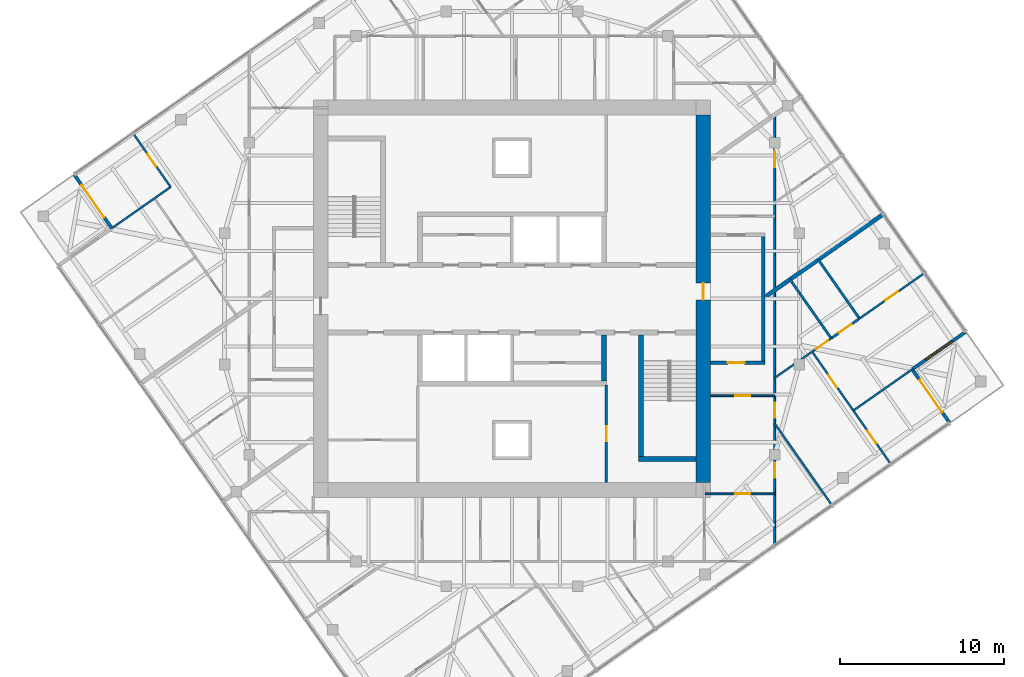
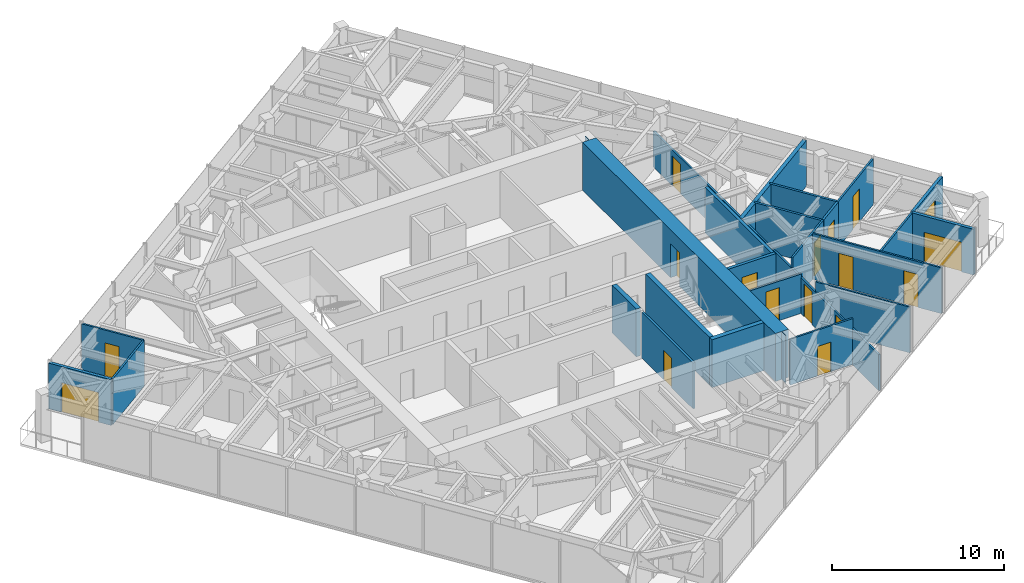
# One storey, part 9 of 12: 24 walls, 16 doors, 1 window, 17 openings.
"""IFC4 building model written with IfcOpenShell, lengths in metres."""

from ifc_helpers import new_model, si_unit, direction, frame, frame_2d, origin, place, context, subcontext, project, spatial, polyline, rectangle, outline, extrude, material, layer, layer_set, type_object, element, fill, save


model = new_model("IFC4")

# Units and contexts
model_context = context("Model", 3, precision=1e-05, world=origin(), true_north=direction((0.0, 1.0)))
body_context = subcontext(model_context, "Body", "Model", "MODEL_VIEW")
ifc_project = project(units=[si_unit("LENGTHUNIT", "METRE"), si_unit("AREAUNIT", "SQUARE_METRE"), si_unit("VOLUMEUNIT", "CUBIC_METRE"), si_unit("PLANEANGLEUNIT", "RADIAN"), si_unit("MASSUNIT", "GRAM", prefix="KILO")], contexts=[model_context])

# Site, building, storey
site_placement = place(None, origin())
site = spatial("IfcSite", under=ifc_project, at=site_placement, CompositionType="ELEMENT")
building_placement = place(site_placement, origin())
building = spatial("IfcBuilding", under=site, at=building_placement, Name="Torsade Residences", CompositionType="ELEMENT")
storey_placement = place(building_placement, frame((0.0, 0.0, 257.39990234375)))
storey = spatial("IfcBuildingStorey", under=building, at=storey_placement, Name="L71", CompositionType="ELEMENT", Elevation=257.39990234375)

# Walls
ifc_material_1 = material(Name="Concrete 80 MPa", Category="concrete")
ifc_layer_1 = layer(ifc_material_1, 0.300048828125)
ifc_layer_set_1 = layer_set([ifc_layer_1], Name="Concrete 80 MPa")
wall_type_1 = type_object("IfcWallType", Name="CORE INTERNAL WALL 300", PredefinedType="SHEAR", material=ifc_layer_set_1)
wall_1_placement = place(storey_placement, frame((45.60009765625, 27.800048828125, 0.0), z_axis=(0.0, 0.0, 1.0), x_axis=(0.0, -1.0, 0.0)))
element("IfcWall", 1, at=wall_1_placement, inside=storey, type_object=wall_type_1, Name="Core wall DS0 L71", PredefinedType="SHEAR", context=body_context, shape_type="SweptSolid", body=[
    extrude(rectangle(XDim=2.800048828125, YDim=0.300048828125, at=frame_2d((1.39990234375, 0.0))), origin(), (0.0, 0.0, 1.0), 3.400146484375),
])
wall_2_placement = place(storey_placement, frame((47.85009765625, 27.800048828125, 0.0), z_axis=(0.0, 0.0, 1.0), x_axis=(0.0, -1.0, 0.0)))
element("IfcWall", 2, at=wall_2_placement, inside=storey, type_object=wall_type_1, Name="Core wall ST2W L71", PredefinedType="SHEAR", context=body_context, shape_type="SweptSolid", body=[
    extrude(rectangle(XDim=7.699951171875, YDim=0.300048828125, at=frame_2d((3.85009765625, 0.0))), origin(), (0.0, 0.0, 1.0), 3.400146484375),
])
wall_3_placement = place(storey_placement, frame((51.199951171875, 20.25, 0.0), z_axis=(0.0, 0.0, 1.0), x_axis=(-1.0, 0.0, 0.0)))
element("IfcWall", 3, at=wall_3_placement, inside=storey, type_object=wall_type_1, Name="Core wall ST2S L71", PredefinedType="SHEAR", context=body_context, shape_type="SweptSolid", body=[
    extrude(rectangle(XDim=3.5, YDim=0.300048828125, at=frame_2d((1.75, 0.0))), origin(), (0.0, 0.0, 1.0), 3.400146484375),
])

# Wall, opening, door
ifc_material_2 = material(Name="Concrete 80 MPa", Category="concrete")
ifc_layer_2 = layer(ifc_material_2, 0.89990234375)
ifc_layer_set_2 = layer_set([ifc_layer_2], Name="Concrete 80 MPa")
wall_type_2 = type_object("IfcWallType", Name="CORE WALL 900", PredefinedType="SHEAR", material=ifc_layer_set_2)
wall_4_placement = place(storey_placement, frame((51.64990234375, 18.800048828125, 0.0), z_axis=(0.0, 0.0, 1.0), x_axis=(0.0, 1.0, 0.0)))
wall_4 = element("IfcWall", 4, at=wall_4_placement, inside=storey, type_object=wall_type_2, Name="Core wall E L71", PredefinedType="SHEAR", context=body_context, shape_type="SweptSolid", body=[
    extrude(outline(polyline([(0.0, -0.449951171875), (22.39990234375, -0.449951171875), (22.39990234375, -0.02490234375), (22.849853515625, -0.02490234375), (22.849853515625, 0.02490234375), (22.39990234375, 0.02490234375), (22.39990234375, 0.449951171875), (0.0, 0.449951171875), (0.0, 0.02490234375), (-0.449951171875, 0.02490234375), (-0.449951171875, -0.02490234375), (0.0, -0.02490234375), (0.0, -0.449951171875)])), origin(), (0.0, 0.0, 1.0), 3.400146484375),
])
opening_1_placement = place(wall_4_placement, frame((11.139892578125, 0.0, 0.0)))
opening_1 = element("IfcOpeningElement", 5, at=opening_1_placement, cuts=wall_4, Name="Opening D04", PredefinedType="OPENING", context=body_context, shape_type="SweptSolid", body=[
    extrude(rectangle(XDim=1.02001953125, YDim=2.39990234375, at=frame_2d((0.510009765625, 1.199951171875))), frame((0.0, 0.4599609375, 0.0), z_axis=(0.0, -1.0, 0.0), x_axis=(1.0, 0.0, 0.0)), (0.0, 0.0, 1.0), 0.919921875),
])
ifc_material_3 = material(Name="Steel-framed fire door", Category="steel")
door_type_1 = type_object("IfcDoorType", Name="LOBBY SMOKE DOOR 1020x2400", OperationType="NOTDEFINED", PredefinedType="DOOR", material=ifc_material_3)
door_1_placement = place(opening_1_placement, origin())
door_1 = element("IfcDoor", 6, at=door_1_placement, inside=storey, type_object=door_type_1, Name="Lift lobby door E L71", OperationType="SINGLE_SWING_LEFT", OverallHeight=2.39990234375, OverallWidth=1.02001953125, PredefinedType="DOOR", context=body_context, shape_type="SweptSolid", body=[
    extrude(rectangle(XDim=1.02001953125, YDim=2.39990234375, at=frame_2d((0.510009765625, 1.199951171875))), frame((0.0, 0.02490234375, 0.0), z_axis=(0.0, -1.0, 0.0), x_axis=(1.0, 0.0, 0.0)), (0.0, 0.0, 1.0), 0.050048828125),
])
fill(opening_1, door_1)

# Wall
ifc_material_4 = material(Name="Plasterboard on steel stud", Category="steel")
ifc_layer_3 = layer(ifc_material_4, 0.199951171875)
ifc_layer_set_3 = layer_set([ifc_layer_3], Name="Plasterboard on steel stud")
wall_type_3 = type_object("IfcWallType", Name="CORRIDOR WALL 200", PredefinedType="PARTITIONING", material=ifc_layer_set_3)
wall_5_placement = place(storey_placement, frame((55.300048828125, 26.10009765625, 0.0), z_axis=(0.0, 0.0, 1.0), x_axis=(0.0, 1.0, 0.0)))
element("IfcWall", 7, at=wall_5_placement, inside=storey, type_object=wall_type_3, Name="Corridor wall L71", PredefinedType="PARTITIONING", context=body_context, shape_type="SweptSolid", body=[
    extrude(rectangle(XDim=7.7998046875, YDim=0.199951171875, at=frame_2d((3.89990234375, 0.0))), origin(), (0.0, 0.0, 1.0), 3.25),
])

# Wall, opening, door
wall_6_placement = place(storey_placement, frame((52.10009765625, 26.10009765625, 0.0), z_axis=(0.0, 0.0, 1.0), x_axis=(1.0, 0.0, 0.0)))
wall_6 = element("IfcWall", 8, at=wall_6_placement, inside=storey, type_object=wall_type_3, Name="Corridor wall L71", PredefinedType="PARTITIONING", context=body_context, shape_type="SweptSolid", body=[
    extrude(rectangle(XDim=3.2998046875, YDim=0.199951171875, at=frame_2d((1.64990234375, 0.0))), origin(), (0.0, 0.0, 1.0), 3.25),
])
opening_2_placement = place(wall_6_placement, frame((1.0400390625, 0.0, 0.0)))
opening_2 = element("IfcOpeningElement", 9, at=opening_2_placement, cuts=wall_6, Name="Opening D01", PredefinedType="OPENING", context=body_context, shape_type="SweptSolid", body=[
    extrude(rectangle(XDim=1.02001953125, YDim=2.340087890625, at=frame_2d((0.510009765625, 1.169921875))), frame((0.0, 0.10986328125, 0.0), z_axis=(0.0, -1.0, 0.0), x_axis=(1.0, 0.0, 0.0)), (0.0, 0.0, 1.0), 0.219970703125),
])
ifc_material_5 = material(Name="Solid-core timber fire door", Category="wood")
door_type_2 = type_object("IfcDoorType", Name="APARTMENT ENTRY DOOR 1020x2340", OperationType="NOTDEFINED", PredefinedType="DOOR", material=ifc_material_5)
door_2_placement = place(opening_2_placement, origin())
door_2 = element("IfcDoor", 10, at=door_2_placement, inside=storey, type_object=door_type_2, Name="Door Residential corridor to Kitchen and dining", OperationType="SINGLE_SWING_LEFT", OverallHeight=2.340087890625, OverallWidth=1.02001953125, PredefinedType="DOOR", context=body_context, shape_type="SweptSolid", body=[
    extrude(rectangle(XDim=1.02001953125, YDim=2.340087890625, at=frame_2d((0.510009765625, 1.169921875))), frame((0.0, 0.02490234375, 0.0), z_axis=(0.0, -1.0, 0.0), x_axis=(1.0, 0.0, 0.0)), (0.0, 0.0, 1.0), 0.050048828125),
])
fill(opening_2, door_2)

ifc_material_6 = material(Name="Plasterboard on steel stud", Category="steel")
ifc_layer_4 = layer(ifc_material_6, 0.1201171875)
ifc_layer_set_4 = layer_set([ifc_layer_4], Name="Plasterboard on steel stud")
wall_type_4 = type_object("IfcWallType", Name="PARTITION 120", PredefinedType="PARTITIONING", material=ifc_layer_set_4)
wall_7_placement = place(storey_placement, frame((56.0, 24.0947265625, 0.0), z_axis=(0.0, 0.0, 1.0), x_axis=(-1.0, 0.0, 0.0)))
wall_7 = element("IfcWall", 11, at=wall_7_placement, inside=storey, type_object=wall_type_4, Name="Partition L71", PredefinedType="PARTITIONING", context=body_context, shape_type="SweptSolid", body=[
    extrude(rectangle(XDim=3.89990234375, YDim=0.1201171875, at=frame_2d((1.949951171875, 0.0))), origin(), (0.0, 0.0, 1.0), 2.796142578125),
])
opening_3_placement = place(wall_7_placement, frame((1.489990234375, 0.0, 0.0)))
opening_3 = element("IfcOpeningElement", 12, at=opening_3_placement, cuts=wall_7, Name="Opening D02", PredefinedType="OPENING", context=body_context, shape_type="SweptSolid", body=[
    extrude(rectangle(XDim=0.919921875, YDim=2.340087890625, at=frame_2d((0.4599609375, 1.169921875))), frame((0.0, 0.070068359375, 0.0), z_axis=(0.0, -1.0, 0.0), x_axis=(1.0, 0.0, 0.0)), (0.0, 0.0, 1.0), 0.14013671875),
])
ifc_material_7 = material(Name="Hollow-core timber door", Category="wood")
door_type_3 = type_object("IfcDoorType", Name="INTERNAL DOOR 920x2340", OperationType="NOTDEFINED", PredefinedType="DOOR", material=ifc_material_7)
door_3_placement = place(opening_3_placement, origin())
door_3 = element("IfcDoor", 13, at=door_3_placement, inside=storey, type_object=door_type_3, Name="Door Kitchen and dining to Walk-in robe", OperationType="SINGLE_SWING_LEFT", OverallHeight=2.340087890625, OverallWidth=0.919921875, PredefinedType="DOOR", context=body_context, shape_type="SweptSolid", body=[
    extrude(rectangle(XDim=0.919921875, YDim=2.340087890625, at=frame_2d((0.4599609375, 1.169921875))), frame((0.0, 0.02490234375, 0.0), z_axis=(0.0, -1.0, 0.0), x_axis=(1.0, 0.0, 0.0)), (0.0, 0.0, 1.0), 0.050048828125),
])
fill(opening_3, door_3)

# Wall, openings, doors
wall_8_placement = place(storey_placement, frame((56.0, 41.203369140625, 0.0), z_axis=(0.0, 0.0, 1.0), x_axis=(0.0, -1.0, 0.0)))
wall_8 = element("IfcWall", 14, at=wall_8_placement, inside=storey, type_object=wall_type_4, Name="Partition L71", PredefinedType="PARTITIONING", context=body_context, shape_type="SweptSolid", body=[
    extrude(rectangle(XDim=26.19775390625, YDim=0.1201171875, at=frame_2d((13.098876953125, 0.0))), origin(), (0.0, 0.0, 1.0), 2.550048828125),
])
opening_4_placement = place(wall_8_placement, frame((21.1884765625, 0.0, 0.0)))
opening_4 = element("IfcOpeningElement", 15, at=opening_4_placement, cuts=wall_8, Name="Opening D02", PredefinedType="OPENING", context=body_context, shape_type="SweptSolid", body=[
    extrude(rectangle(XDim=0.919921875, YDim=2.340087890625, at=frame_2d((0.4599609375, 1.169921875))), frame((0.0, 0.070068359375, 0.0), z_axis=(0.0, -1.0, 0.0), x_axis=(1.0, 0.0, 0.0)), (0.0, 0.0, 1.0), 0.14013671875),
])
opening_5_placement = place(wall_8_placement, frame((17.537109375, 0.0, 0.0)))
opening_5 = element("IfcOpeningElement", 16, at=opening_5_placement, cuts=wall_8, Name="Opening D02", PredefinedType="OPENING", context=body_context, shape_type="SweptSolid", body=[
    extrude(rectangle(XDim=0.919921875, YDim=2.340087890625, at=frame_2d((0.4599609375, 1.169921875))), frame((0.0, 0.070068359375, 0.0), z_axis=(0.0, -1.0, 0.0), x_axis=(1.0, 0.0, 0.0)), (0.0, 0.0, 1.0), 0.14013671875),
])
opening_6_placement = place(wall_8_placement, frame((2.220947265625, 0.0, 0.0)))
opening_6 = element("IfcOpeningElement", 17, at=opening_6_placement, cuts=wall_8, Name="Opening D05", PredefinedType="OPENING", context=body_context, shape_type="SweptSolid", body=[
    extrude(rectangle(XDim=0.9599609375, YDim=2.10009765625, at=frame_2d((0.47998046875, 1.050048828125))), frame((0.0, 0.070068359375, 0.0), z_axis=(0.0, -1.0, 0.0), x_axis=(1.0, 0.0, 0.0)), (0.0, 0.0, 1.0), 0.14013671875),
])
ifc_material_8 = material(Name="Hollow-core timber door in a steel cavity frame", Category="steel")
door_type_4 = type_object("IfcDoorType", Name="BATHROOM CAVITY SLIDING DOOR 960", OperationType="SLIDING_TO_LEFT", PredefinedType="DOOR", material=ifc_material_8)
door_4_placement = place(opening_6_placement, origin())
door_4 = element("IfcDoor", 18, at=door_4_placement, inside=storey, type_object=door_type_4, Name="Door Bathroom to Bedroom 1", OperationType="SLIDING_TO_LEFT", OverallHeight=2.10009765625, OverallWidth=0.9599609375, PredefinedType="DOOR", context=body_context, shape_type="SweptSolid", body=[
    extrude(rectangle(XDim=0.9599609375, YDim=2.10009765625, at=frame_2d((0.47998046875, 1.050048828125))), frame((0.0, 0.02490234375, 0.0), z_axis=(0.0, -1.0, 0.0), x_axis=(1.0, 0.0, 0.0)), (0.0, 0.0, 1.0), 0.050048828125),
])
fill(opening_6, door_4)
door_5_placement = place(opening_4_placement, origin())
door_5 = element("IfcDoor", 19, at=door_5_placement, inside=storey, type_object=door_type_3, Name="Door Walk-in robe to Media room 2", OperationType="SINGLE_SWING_LEFT", OverallHeight=2.340087890625, OverallWidth=0.919921875, PredefinedType="DOOR", context=body_context, shape_type="SweptSolid", body=[
    extrude(rectangle(XDim=0.919921875, YDim=2.340087890625, at=frame_2d((0.4599609375, 1.169921875))), frame((0.0, 0.02490234375, 0.0), z_axis=(0.0, -1.0, 0.0), x_axis=(1.0, 0.0, 0.0)), (0.0, 0.0, 1.0), 0.050048828125),
])
fill(opening_4, door_5)
door_6_placement = place(opening_5_placement, origin())
door_6 = element("IfcDoor", 20, at=door_6_placement, inside=storey, type_object=door_type_3, Name="Door Walk-in robe to Bedroom 3", OperationType="SINGLE_SWING_RIGHT", OverallHeight=2.340087890625, OverallWidth=0.919921875, PredefinedType="DOOR", context=body_context, shape_type="SweptSolid", body=[
    extrude(rectangle(XDim=0.919921875, YDim=2.340087890625, at=frame_2d((0.4599609375, 1.169921875))), frame((0.0, 0.02490234375, 0.0), z_axis=(0.0, -1.0, 0.0), x_axis=(1.0, 0.0, 0.0)), (0.0, 0.0, 1.0), 0.050048828125),
])
fill(opening_5, door_6)

# Wall, opening, door
wall_9_placement = place(storey_placement, frame((51.77734375, 18.11767578125, 0.0), z_axis=(0.0, 0.0, 1.0), x_axis=(1.0, 0.0, 0.0)))
wall_9 = element("IfcWall", 21, at=wall_9_placement, inside=storey, type_object=wall_type_4, Name="Partition L71", PredefinedType="PARTITIONING", context=body_context, shape_type="SweptSolid", body=[
    extrude(rectangle(XDim=4.22265625, YDim=0.1201171875, at=frame_2d((2.111328125, 0.0))), origin(), (0.0, 0.0, 1.0), 3.25),
])
opening_7_placement = place(wall_9_placement, frame((1.8125, 0.0, 0.0)))
opening_7 = element("IfcOpeningElement", 22, at=opening_7_placement, cuts=wall_9, Name="Opening D02L", PredefinedType="OPENING", context=body_context, shape_type="SweptSolid", body=[
    extrude(rectangle(XDim=0.919921875, YDim=2.10009765625, at=frame_2d((0.4599609375, 1.050048828125))), frame((0.0, 0.070068359375, 0.0), z_axis=(0.0, -1.0, 0.0), x_axis=(1.0, 0.0, 0.0)), (0.0, 0.0, 1.0), 0.14013671875),
])
ifc_material_9 = material(Name="Hollow-core timber door", Category="wood")
door_type_5 = type_object("IfcDoorType", Name="INTERNAL DOOR 920x2100", OperationType="NOTDEFINED", PredefinedType="DOOR", material=ifc_material_9)
door_7_placement = place(opening_7_placement, origin())
door_7 = element("IfcDoor", 23, at=door_7_placement, inside=storey, type_object=door_type_5, Name="Door Walk-in robe to Study", OperationType="SINGLE_SWING_RIGHT", OverallHeight=2.10009765625, OverallWidth=0.919921875, PredefinedType="DOOR", context=body_context, shape_type="SweptSolid", body=[
    extrude(rectangle(XDim=0.919921875, YDim=2.10009765625, at=frame_2d((0.4599609375, 1.050048828125))), frame((0.0, 0.02490234375, 0.0), z_axis=(0.0, -1.0, 0.0), x_axis=(1.0, 0.0, 0.0)), (0.0, 0.0, 1.0), 0.050048828125),
])
fill(opening_7, door_7)

# Wall, openings, doors
wall_10_placement = place(storey_placement, frame((63.060302734375, 19.94921875, 0.0), z_axis=(0.0, 0.0, 1.0), x_axis=(-0.573576357466, 0.819152099525, 0.0)))
wall_10 = element("IfcWall", 24, at=wall_10_placement, inside=storey, type_object=wall_type_4, Name="Partition L71", PredefinedType="PARTITIONING", context=body_context, shape_type="SweptSolid", body=[
    extrude(rectangle(XDim=8.3349609375, YDim=0.1201171875, at=frame_2d((4.16748046875, 0.0))), origin(), (0.0, 0.0, 1.0), 3.25),
])
opening_8_placement = place(wall_10_placement, frame((5.6875, 0.0, 0.0)))
opening_8 = element("IfcOpeningElement", 25, at=opening_8_placement, cuts=wall_10, Name="Opening D02", PredefinedType="OPENING", context=body_context, shape_type="SweptSolid", body=[
    extrude(rectangle(XDim=0.919921875, YDim=2.340087890625, at=frame_2d((0.4599609375, 1.169921875))), frame((0.0, 0.070068359375, 0.0), z_axis=(0.0, -1.0, 0.0), x_axis=(1.0, 0.0, 0.0)), (0.0, 0.0, 1.0), 0.14013671875),
])
opening_9_placement = place(wall_10_placement, frame((1.52490234375, 0.0, 0.0)))
opening_9 = element("IfcOpeningElement", 26, at=opening_9_placement, cuts=wall_10, Name="Opening D02", PredefinedType="OPENING", context=body_context, shape_type="SweptSolid", body=[
    extrude(rectangle(XDim=0.919921875, YDim=2.340087890625, at=frame_2d((0.4599609375, 1.169921875))), frame((0.0, 0.070068359375, 0.0), z_axis=(0.0, -1.0, 0.0), x_axis=(1.0, 0.0, 0.0)), (0.0, 0.0, 1.0), 0.14013671875),
])
door_8_placement = place(opening_8_placement, origin())
door_8 = element("IfcDoor", 27, at=door_8_placement, inside=storey, type_object=door_type_3, Name="Door Bedroom 3 to Bedroom 2", OperationType="SINGLE_SWING_RIGHT", OverallHeight=2.340087890625, OverallWidth=0.919921875, PredefinedType="DOOR", context=body_context, shape_type="SweptSolid", body=[
    extrude(rectangle(XDim=0.919921875, YDim=2.340087890625, at=frame_2d((0.4599609375, 1.169921875))), frame((0.0, 0.02490234375, 0.0), z_axis=(0.0, -1.0, 0.0), x_axis=(1.0, 0.0, 0.0)), (0.0, 0.0, 1.0), 0.050048828125),
])
fill(opening_8, door_8)
door_9_placement = place(opening_9_placement, origin())
door_9 = element("IfcDoor", 28, at=door_9_placement, inside=storey, type_object=door_type_3, Name="Door Bedroom 3 to Study 3", OperationType="SINGLE_SWING_RIGHT", OverallHeight=2.340087890625, OverallWidth=0.919921875, PredefinedType="DOOR", context=body_context, shape_type="SweptSolid", body=[
    extrude(rectangle(XDim=0.919921875, YDim=2.340087890625, at=frame_2d((0.4599609375, 1.169921875))), frame((0.0, 0.02490234375, 0.0), z_axis=(0.0, -1.0, 0.0), x_axis=(1.0, 0.0, 0.0)), (0.0, 0.0, 1.0), 0.050048828125),
])
fill(opening_9, door_9)

# Wall, opening, door
wall_11_placement = place(storey_placement, frame((61.123046875, 28.767822265625, 0.0), z_axis=(0.0, 0.0, 1.0), x_axis=(0.819144657999, 0.573586984922, 0.0)))
wall_11 = element("IfcWall", 29, at=wall_11_placement, inside=storey, type_object=wall_type_4, Name="Partition L71", PredefinedType="PARTITIONING", context=body_context, shape_type="SweptSolid", body=[
    extrude(rectangle(XDim=4.86376953125, YDim=0.1201171875, at=frame_2d((2.431884765625, 0.0))), origin(), (0.0, 0.0, 1.0), 3.25),
])
opening_10_placement = place(wall_11_placement, frame((1.991943359375, 0.0, 0.0)))
opening_10 = element("IfcOpeningElement", 30, at=opening_10_placement, cuts=wall_11, Name="Opening D02", PredefinedType="OPENING", context=body_context, shape_type="SweptSolid", body=[
    extrude(rectangle(XDim=0.919921875, YDim=2.340087890625, at=frame_2d((0.4599609375, 1.169921875))), frame((0.0, 0.070068359375, 0.0), z_axis=(0.0, -1.0, 0.0), x_axis=(1.0, 0.0, 0.0)), (0.0, 0.0, 1.0), 0.14013671875),
])
door_10_placement = place(opening_10_placement, origin())
door_10 = element("IfcDoor", 31, at=door_10_placement, inside=storey, type_object=door_type_3, Name="Door Bedroom 2 to Family room", OperationType="SINGLE_SWING_LEFT", OverallHeight=2.340087890625, OverallWidth=0.919921875, PredefinedType="DOOR", context=body_context, shape_type="SweptSolid", body=[
    extrude(rectangle(XDim=0.919921875, YDim=2.340087890625, at=frame_2d((0.4599609375, 1.169921875))), frame((0.0, 0.02490234375, 0.0), z_axis=(0.0, -1.0, 0.0), x_axis=(1.0, 0.0, 0.0)), (0.0, 0.0, 1.0), 0.050048828125),
])
fill(opening_10, door_10)

wall_12_placement = place(storey_placement, frame((56.0, 25.1806640625, 0.0), z_axis=(0.0, 0.0, 1.0), x_axis=(0.819159093985, 0.573566368211, 0.0)))
wall_12 = element("IfcWall", 32, at=wall_12_placement, inside=storey, type_object=wall_type_4, Name="Partition L71", PredefinedType="PARTITIONING", context=body_context, shape_type="SweptSolid", body=[
    extrude(rectangle(XDim=4.252685546875, YDim=0.1201171875, at=frame_2d((2.12646484375, 0.0))), origin(), (0.0, 0.0, 1.0), 3.25),
])
opening_11_placement = place(wall_12_placement, frame((3.057861328125, 0.0, 0.0)))
opening_11 = element("IfcOpeningElement", 33, at=opening_11_placement, cuts=wall_12, Name="Opening D02", PredefinedType="OPENING", context=body_context, shape_type="SweptSolid", body=[
    extrude(rectangle(XDim=0.919921875, YDim=2.340087890625, at=frame_2d((0.4599609375, 1.169921875))), frame((0.0, 0.070068359375, 0.0), z_axis=(0.0, -1.0, 0.0), x_axis=(1.0, 0.0, 0.0)), (0.0, 0.0, 1.0), 0.14013671875),
])
door_11_placement = place(opening_11_placement, origin())
door_11 = element("IfcDoor", 34, at=door_11_placement, inside=storey, type_object=door_type_3, Name="Door Bedroom 2 to Walk-in robe 2", OperationType="SINGLE_SWING_RIGHT", OverallHeight=2.340087890625, OverallWidth=0.919921875, PredefinedType="DOOR", context=body_context, shape_type="SweptSolid", body=[
    extrude(rectangle(XDim=0.919921875, YDim=2.340087890625, at=frame_2d((0.4599609375, 1.169921875))), frame((0.0, 0.02490234375, 0.0), z_axis=(0.0, -1.0, 0.0), x_axis=(1.0, 0.0, 0.0)), (0.0, 0.0, 1.0), 0.050048828125),
])
fill(opening_11, door_11)

# Walls
wall_13_placement = place(storey_placement, frame((64.340087890625, 25.679443359375, 0.0), z_axis=(0.0, 0.0, 1.0), x_axis=(-0.819165768115, -0.573556836197, 0.0)))
element("IfcWall", 35, at=wall_13_placement, inside=storey, type_object=wall_type_4, Name="Partition L71", PredefinedType="PARTITIONING", context=body_context, shape_type="SweptSolid", body=[
    extrude(rectangle(XDim=4.3349609375, YDim=0.1201171875, at=frame_2d((2.16748046875, 0.0))), origin(), (0.0, 0.0, 1.0), 3.25),
])
wall_14_placement = place(storey_placement, frame((59.4765625, 17.439697265625, 0.0), z_axis=(0.0, 0.0, 1.0), x_axis=(-0.573573173989, 0.81915432861, 0.0)))
element("IfcWall", 36, at=wall_14_placement, inside=storey, type_object=wall_type_4, Name="Partition L71", PredefinedType="PARTITIONING", context=body_context, shape_type="SweptSolid", body=[
    extrude(rectangle(XDim=6.061279296875, YDim=0.1201171875, at=frame_2d((3.03076171875, 0.0))), origin(), (0.0, 0.0, 1.0), 3.25),
])
wall_15_placement = place(storey_placement, frame((15.659912109375, 34.320556640625, 0.0), z_axis=(0.0, 0.0, 1.0), x_axis=(0.819139307094, 0.573594626521, 0.0)))
element("IfcWall", 37, at=wall_15_placement, inside=storey, type_object=wall_type_4, Name="Partition L71", PredefinedType="PARTITIONING", context=body_context, shape_type="SweptSolid", body=[
    extrude(rectangle(XDim=4.3349609375, YDim=0.1201171875, at=frame_2d((2.16748046875, 0.0))), origin(), (0.0, 0.0, 1.0), 3.25),
])

# Wall, opening, door
wall_16_placement = place(storey_placement, frame((19.2109375, 36.80712890625, 0.0), z_axis=(0.0, 0.0, 1.0), x_axis=(-0.573578200724, 0.819150808859, 0.0)))
wall_16 = element("IfcWall", 38, at=wall_16_placement, inside=storey, type_object=wall_type_4, Name="Partition L71", PredefinedType="PARTITIONING", context=body_context, shape_type="SweptSolid", body=[
    extrude(rectangle(XDim=3.959716796875, YDim=0.1201171875, at=frame_2d((1.97998046875, 0.0))), origin(), (0.0, 0.0, 1.0), 3.25),
])
opening_12_placement = place(wall_16_placement, frame((1.5400390625, 0.0, 0.0)))
opening_12 = element("IfcOpeningElement", 39, at=opening_12_placement, cuts=wall_16, Name="Opening D02", PredefinedType="OPENING", context=body_context, shape_type="SweptSolid", body=[
    extrude(rectangle(XDim=0.919921875, YDim=2.340087890625, at=frame_2d((0.4599609375, 1.169921875))), frame((0.0, 0.070068359375, 0.0), z_axis=(0.0, -1.0, 0.0), x_axis=(1.0, 0.0, 0.0)), (0.0, 0.0, 1.0), 0.14013671875),
])
door_12_placement = place(opening_12_placement, origin())
door_12 = element("IfcDoor", 40, at=door_12_placement, inside=storey, type_object=door_type_3, Name="Door Living room to Family room 2", OperationType="SINGLE_SWING_LEFT", OverallHeight=2.340087890625, OverallWidth=0.919921875, PredefinedType="DOOR", context=body_context, shape_type="SweptSolid", body=[
    extrude(rectangle(XDim=0.919921875, YDim=2.340087890625, at=frame_2d((0.4599609375, 1.169921875))), frame((0.0, 0.02490234375, 0.0), z_axis=(0.0, -1.0, 0.0), x_axis=(1.0, 0.0, 0.0)), (0.0, 0.0, 1.0), 0.050048828125),
])
fill(opening_12, door_12)

# Wall
ifc_material_10 = material(Name="Masonry-lined stud party wall", Category="masonry")
ifc_layer_5 = layer(ifc_material_10, 0.25)
ifc_layer_set_5 = layer_set([ifc_layer_5], Name="Masonry-lined stud party wall")
wall_type_5 = type_object("IfcWallType", Name="PARTY WALL 250", PredefinedType="PARTITIONING", material=ifc_layer_set_5)
wall_17_placement = place(storey_placement, frame((62.630615234375, 35.164306640625, 0.0), z_axis=(0.0, 0.0, 1.0), x_axis=(-0.819152220062, -0.573576185321, 0.0)))
element("IfcWall", 41, at=wall_17_placement, inside=storey, type_object=wall_type_5, Name="Party wall L71", PredefinedType="PARTITIONING", context=body_context, shape_type="SweptSolid", body=[
    extrude(rectangle(XDim=8.779296875, YDim=0.25, at=frame_2d((4.3896484375, 0.0))), origin(), (0.0, 0.0, 1.0), 3.25),
])

# Wall, opening, door
ifc_material_11 = material(Name="Reinforced blockwork", Category="masonry")
ifc_layer_6 = layer(ifc_material_11, 0.14990234375)
ifc_layer_set_6 = layer_set([ifc_layer_6], Name="Reinforced blockwork")
wall_type_6 = type_object("IfcWallType", Name="SERVICE ROOM WALL 150", PredefinedType="SOLIDWALL", material=ifc_layer_set_6)
wall_18_placement = place(storey_placement, frame((45.75, 18.800048828125, 0.0), z_axis=(0.0, 0.0, 1.0), x_axis=(0.0, 1.0, 0.0)))
wall_18 = element("IfcWall", 42, at=wall_18_placement, inside=storey, type_object=wall_type_6, Name="Service room wall L71", PredefinedType="SOLIDWALL", context=body_context, shape_type="SweptSolid", body=[
    extrude(rectangle(XDim=5.949951171875, YDim=0.14990234375, at=frame_2d((2.97509765625, 0.0))), origin(), (0.0, 0.0, 1.0), 3.25),
])
opening_13_placement = place(wall_18_placement, frame((2.514892578125, 0.0, 0.0)))
opening_13 = element("IfcOpeningElement", 43, at=opening_13_placement, cuts=wall_18, Name="Opening D06", PredefinedType="OPENING", context=body_context, shape_type="SweptSolid", body=[
    extrude(rectangle(XDim=0.919921875, YDim=2.10009765625, at=frame_2d((0.4599609375, 1.050048828125))), frame((0.0, 0.0849609375, 0.0), z_axis=(0.0, -1.0, 0.0), x_axis=(1.0, 0.0, 0.0)), (0.0, 0.0, 1.0), 0.169921875),
])
ifc_material_12 = material(Name="Steel-framed fire door", Category="steel")
door_type_6 = type_object("IfcDoorType", Name="FIRE DOOR 920", OperationType="NOTDEFINED", PredefinedType="DOOR", material=ifc_material_12)
door_13_placement = place(opening_13_placement, origin())
door_13 = element("IfcDoor", 44, at=door_13_placement, inside=storey, type_object=door_type_6, Name="Door Security and data store to Communications riser room", OperationType="SINGLE_SWING_RIGHT", OverallHeight=2.10009765625, OverallWidth=0.919921875, PredefinedType="DOOR", context=body_context, shape_type="SweptSolid", body=[
    extrude(rectangle(XDim=0.919921875, YDim=2.10009765625, at=frame_2d((0.4599609375, 1.050048828125))), frame((0.0, 0.02490234375, 0.0), z_axis=(0.0, -1.0, 0.0), x_axis=(1.0, 0.0, 0.0)), (0.0, 0.0, 1.0), 0.050048828125),
])
fill(opening_13, door_13)

wall_19_placement = place(storey_placement, frame((59.483642578125, 27.619873046875, 0.0), z_axis=(0.0, 0.0, 1.0), x_axis=(0.819145946981, 0.573585144111, 0.0)))
wall_19 = element("IfcWall", 45, at=wall_19_placement, inside=storey, type_object=wall_type_6, Name="Service room wall L71", PredefinedType="SOLIDWALL", context=body_context, shape_type="SweptSolid", body=[
    extrude(rectangle(XDim=2.00146484375, YDim=0.14990234375, at=frame_2d((1.000732421875, 0.0))), origin(), (0.0, 0.0, 1.0), 3.25),
])
opening_14_placement = place(wall_19_placement, frame((0.540771484375, 0.0, 0.0)))
opening_14 = element("IfcOpeningElement", 46, at=opening_14_placement, cuts=wall_19, Name="Opening D02", PredefinedType="OPENING", context=body_context, shape_type="SweptSolid", body=[
    extrude(rectangle(XDim=0.919921875, YDim=2.340087890625, at=frame_2d((0.4599609375, 1.169921875))), frame((0.0, 0.0849609375, 0.0), z_axis=(0.0, -1.0, 0.0), x_axis=(1.0, 0.0, 0.0)), (0.0, 0.0, 1.0), 0.169921875),
])
door_14_placement = place(opening_14_placement, origin())
door_14 = element("IfcDoor", 47, at=door_14_placement, inside=storey, type_object=door_type_3, Name="Door Bedroom 2 to Linen store 2", OperationType="SINGLE_SWING_LEFT", OverallHeight=2.340087890625, OverallWidth=0.919921875, PredefinedType="DOOR", context=body_context, shape_type="SweptSolid", body=[
    extrude(rectangle(XDim=0.919921875, YDim=2.340087890625, at=frame_2d((0.4599609375, 1.169921875))), frame((0.0, 0.02490234375, 0.0), z_axis=(0.0, -1.0, 0.0), x_axis=(1.0, 0.0, 0.0)), (0.0, 0.0, 1.0), 0.050048828125),
])
fill(opening_14, door_14)

# Walls
for number, where, z_axis, x_axis, name in (
    (48, (61.1640625, 28.796630859375, 0.0), (0.0, 0.0, 1.0), (-0.573563463091, 0.81916112811, 0.0), "Service room wall L71"),
    (49, (56.933349609375, 31.175048828125, 0.0), (0.0, 0.0, 1.0), (0.573563463091, -0.81916112811, 0.0), "Service room wall L71"),
):
    element("IfcWall", number, at=place(storey_placement, frame(where, z_axis=z_axis, x_axis=x_axis)), inside=storey, type_object=wall_type_6, Name=name, PredefinedType="SOLIDWALL", context=body_context, shape_type="SweptSolid", body=[
        extrude(rectangle(XDim=4.375, YDim=0.14990234375, at=frame_2d((2.1875, 0.0))), origin(), (0.0, 0.0, 1.0), 3.25),
    ])

# Wall, opening, door
ifc_material_13 = material(Name="Stone-faced precast concrete 40 MPa panel", Category="masonry")
ifc_layer_7 = layer(ifc_material_13, 0.199951171875)
ifc_layer_set_7 = layer_set([ifc_layer_7], Name="Stone-faced precast concrete 40 MPa panel")
wall_type_7 = type_object("IfcWallType", Name="TERRACE WALL 200", PredefinedType="SOLIDWALL", material=ifc_layer_set_7)
wall_20_placement = place(storey_placement, frame((66.6669921875, 22.42578125, 0.0), z_axis=(0.0, 0.0, 1.0), x_axis=(-0.573556557423, 0.819165963305, 0.0)))
wall_20 = element("IfcWall", 50, at=wall_20_placement, inside=storey, type_object=wall_type_7, Name="Terrace wall L71 2", PredefinedType="SOLIDWALL", context=body_context, shape_type="SweptSolid", body=[
    extrude(rectangle(XDim=4.0, YDim=0.199951171875, at=frame_2d((2.0, 0.0))), origin(), (0.0, 0.0, 1.0), 3.25),
])
opening_15_placement = place(wall_20_placement, frame((0.800048828125, 0.0, 0.0)))
opening_15 = element("IfcOpeningElement", 51, at=opening_15_placement, cuts=wall_20, Name="Opening D10A", PredefinedType="OPENING", context=body_context, shape_type="SweptSolid", body=[
    extrude(rectangle(XDim=2.39990234375, YDim=2.10009765625, at=frame_2d((1.199951171875, 1.050048828125))), frame((0.0, 0.10986328125, 0.0), z_axis=(0.0, -1.0, 0.0), x_axis=(1.0, 0.0, 0.0)), (0.0, 0.0, 1.0), 0.219970703125),
])
ifc_material_14 = material(Name="Aluminium-framed glass door", Category="aluminium")
door_type_7 = type_object("IfcDoorType", Name="TERRACE SLIDING DOOR 2400x2100", OperationType="SLIDING_TO_LEFT", PredefinedType="DOOR", material=ifc_material_14)
door_15_placement = place(opening_15_placement, origin())
door_15 = element("IfcDoor", 52, at=door_15_placement, inside=storey, type_object=door_type_7, Name="Terrace door L71 2", OperationType="SLIDING_TO_LEFT", OverallHeight=2.10009765625, OverallWidth=2.39990234375, PredefinedType="DOOR", context=body_context, shape_type="SweptSolid", body=[
    extrude(rectangle(XDim=2.39990234375, YDim=2.10009765625, at=frame_2d((1.199951171875, 1.050048828125))), frame((0.0, 0.02490234375, 0.0), z_axis=(0.0, -1.0, 0.0), x_axis=(1.0, 0.0, 0.0)), (0.0, 0.0, 1.0), 0.050048828125),
])
fill(opening_15, door_15)

# Wall, opening, window
wall_21_placement = place(storey_placement, frame((64.372802734375, 25.702392578125, 0.0), z_axis=(0.0, 0.0, 1.0), x_axis=(0.819137286189, 0.573597512525, 0.0)))
wall_21 = element("IfcWall", 53, at=wall_21_placement, inside=storey, type_object=wall_type_7, Name="Terrace wall L71 3", PredefinedType="SOLIDWALL", context=body_context, shape_type="SweptSolid", body=[
    extrude(rectangle(XDim=4.0, YDim=0.199951171875, at=frame_2d((2.0, 0.0))), origin(), (0.0, 0.0, 1.0), 3.25),
])
opening_16_placement = place(wall_21_placement, frame((1.0, 0.0, 0.449951171875)))
opening_16 = element("IfcOpeningElement", 54, at=opening_16_placement, cuts=wall_21, Name="Opening W1B", PredefinedType="OPENING", context=body_context, shape_type="SweptSolid", body=[
    extrude(rectangle(XDim=2.0, YDim=1.800048828125, at=frame_2d((1.0, 0.89990234375))), frame((0.0, 0.10986328125, 0.0), z_axis=(0.0, -1.0, 0.0), x_axis=(1.0, 0.0, 0.0)), (0.0, 0.0, 1.0), 0.219970703125),
])
ifc_material_15 = material(Name="Aluminium-framed glass window", Category="aluminium")
window_type = type_object("IfcWindowType", Name="TERRACE WINDOW 2000x1800", PartitioningType="SINGLE_PANEL", PredefinedType="WINDOW", material=ifc_material_15)
window_placement = place(opening_16_placement, origin())
window = element("IfcWindow", 55, at=window_placement, inside=storey, type_object=window_type, Name="Terrace window L71 3", OverallHeight=1.800048828125, OverallWidth=2.0, PartitioningType="SINGLE_PANEL", PredefinedType="WINDOW", context=body_context, shape_type="SweptSolid", body=[
    extrude(rectangle(XDim=2.0, YDim=1.800048828125, at=frame_2d((1.0, 0.89990234375))), frame((0.0, 0.030029296875, 0.0), z_axis=(0.0, -1.0, 0.0), x_axis=(1.0, 0.0, 0.0)), (0.0, 0.0, 1.0), 0.06005859375),
])
fill(opening_16, window)

# Wall, opening, door
wall_22_placement = place(storey_placement, frame((13.3330078125, 37.57421875, 0.0), z_axis=(0.0, 0.0, 1.0), x_axis=(0.573556557423, -0.819165963305, 0.0)))
wall_22 = element("IfcWall", 56, at=wall_22_placement, inside=storey, type_object=wall_type_7, Name="Terrace wall L71 8", PredefinedType="SOLIDWALL", context=body_context, shape_type="SweptSolid", body=[
    extrude(rectangle(XDim=4.0, YDim=0.199951171875, at=frame_2d((2.0, 0.0))), origin(), (0.0, 0.0, 1.0), 3.25),
])
opening_17_placement = place(wall_22_placement, frame((0.800048828125, 0.0, 0.0)))
opening_17 = element("IfcOpeningElement", 57, at=opening_17_placement, cuts=wall_22, Name="Opening D10A", PredefinedType="OPENING", context=body_context, shape_type="SweptSolid", body=[
    extrude(rectangle(XDim=2.39990234375, YDim=2.10009765625, at=frame_2d((1.199951171875, 1.050048828125))), frame((0.0, 0.10986328125, 0.0), z_axis=(0.0, -1.0, 0.0), x_axis=(1.0, 0.0, 0.0)), (0.0, 0.0, 1.0), 0.219970703125),
])
door_16_placement = place(opening_17_placement, origin())
door_16 = element("IfcDoor", 58, at=door_16_placement, inside=storey, type_object=door_type_7, Name="Terrace door L71 8", OperationType="SLIDING_TO_LEFT", OverallHeight=2.10009765625, OverallWidth=2.39990234375, PredefinedType="DOOR", context=body_context, shape_type="SweptSolid", body=[
    extrude(rectangle(XDim=2.39990234375, YDim=2.10009765625, at=frame_2d((1.199951171875, 1.050048828125))), frame((0.0, 0.02490234375, 0.0), z_axis=(0.0, -1.0, 0.0), x_axis=(1.0, 0.0, 0.0)), (0.0, 0.0, 1.0), 0.050048828125),
])
fill(opening_17, door_16)

save(model, "model.ifc")
